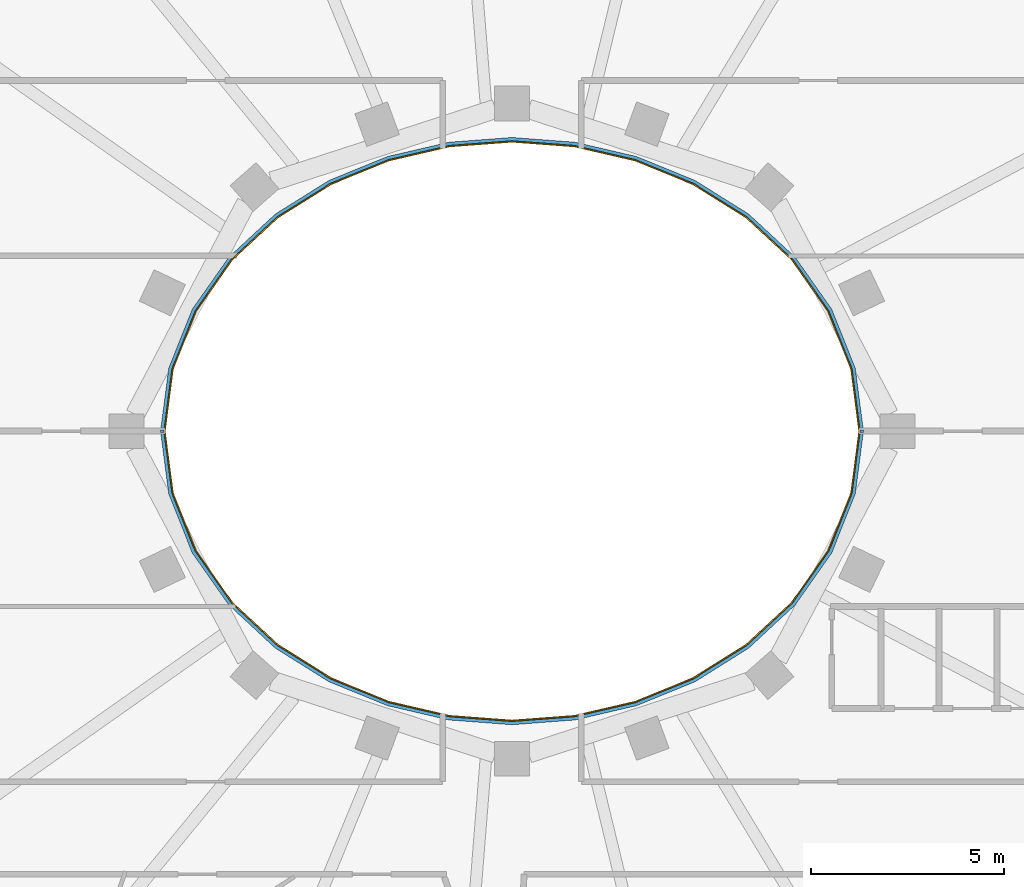
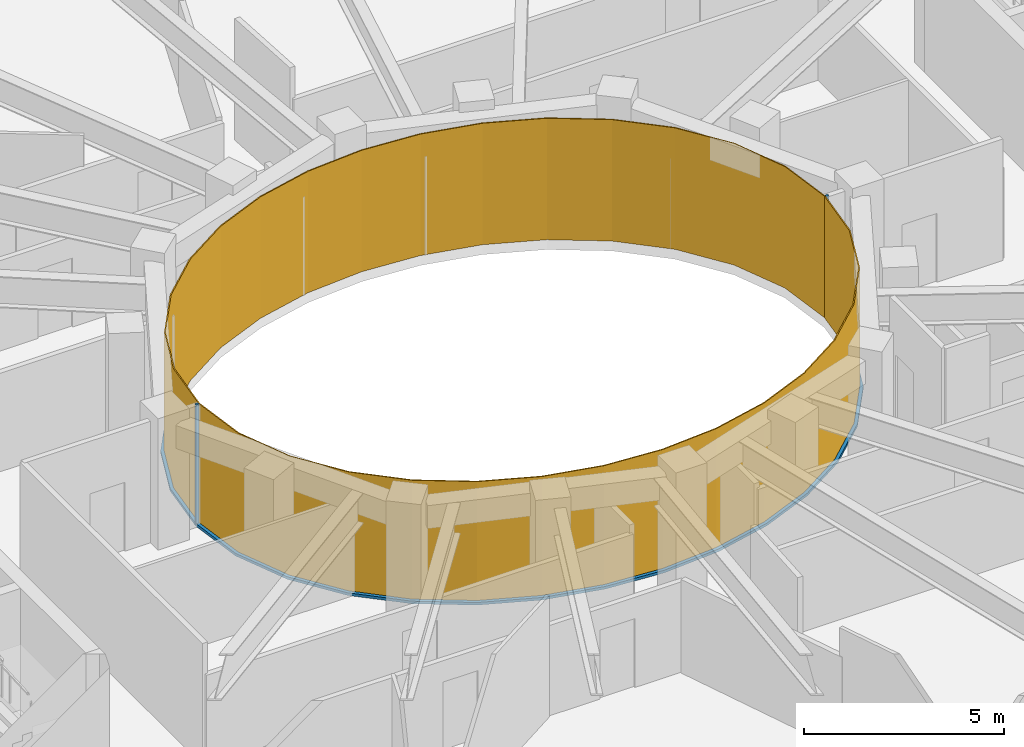
# One storey, part 10 of 15: 4 members, 2 curtain walls.
"""IFC4 building model written with IfcOpenShell, lengths in metres."""

from ifc_helpers import new_model, si_unit, direction, frame, origin, origin_2d, place, context, subcontext, project, spatial, polyline, rectangle, outline, extrude, material, layer, layer_set, material_profile, profile_set, type_object, element, aggregate, save


model = new_model("IFC4")

# Units and contexts
model_context = context("Model", 3, precision=1e-05, world=origin(), true_north=direction((0.0, 1.0)))
body_context = subcontext(model_context, "Body", "Model", "MODEL_VIEW")
ifc_project = project(units=[si_unit("LENGTHUNIT", "METRE"), si_unit("AREAUNIT", "SQUARE_METRE"), si_unit("VOLUMEUNIT", "CUBIC_METRE"), si_unit("PLANEANGLEUNIT", "RADIAN"), si_unit("MASSUNIT", "GRAM", prefix="KILO")], contexts=[model_context])

# Member
ifc_material_1 = material(Name="Steel S355 fire-resisting frame", Category="steel")
ifc_material_profile = material_profile(ifc_material_1, rectangle(XDim=0.090087890625, YDim=0.06005859375, at=origin_2d()), Name="90x60")
ifc_profile_set = profile_set([ifc_material_profile], Name="Steel S355 fire-resisting frame")
member_type_1 = type_object("IfcMemberType", Name="ENV-MULLION-W-90", PredefinedType="MULLION", material=ifc_profile_set)
site_placement = place(None, origin())
building_placement = place(site_placement, origin())
storey_placement = place(building_placement, frame((0.0, 0.0, 307.0)))
member_1_placement = place(storey_placement, frame((9.076904296875, 0.0, 0.0), z_axis=(0.0, 0.0, 1.0), x_axis=(1.0, 0.0, 0.0)))
member_1 = element("IfcMember", 1, at=member_1_placement, type_object=member_type_1, Name="Mullion W well vertex 01", PredefinedType="MULLION", context=body_context, shape_type="SweptSolid", body=[
    extrude(rectangle(XDim=0.090087890625, YDim=0.06005859375, at=origin_2d()), origin(), (0.0, 0.0, 1.0), 3.699951171875),
])

member_2_placement = place(storey_placement, frame((-9.076904296875, 0.0, 0.0), z_axis=(0.0, 0.0, 1.0), x_axis=(-1.0, 0.0, 0.0)))
member_2 = element("IfcMember", 2, at=member_2_placement, type_object=member_type_1, Name="Mullion W well vertex 17", PredefinedType="MULLION", context=body_context, shape_type="SweptSolid", body=[
    extrude(rectangle(XDim=0.090087890625, YDim=0.06005859375, at=origin_2d()), origin(), (0.0, 0.0, 1.0), 3.699951171875),
])

ifc_material_2 = material(Name="Steel S355 fire-resisting frame", Category="steel")
member_type_2 = type_object("IfcMemberType", Name="ENV-TRANSOM-W", PredefinedType="USERDEFINED", material=ifc_material_2)
member_3_placement = place(storey_placement, origin())
member_3 = element("IfcMember", 3, at=member_3_placement, type_object=member_type_2, Name="Transom W well 01-17", ObjectType="TRANSOM", PredefinedType="USERDEFINED", context=body_context, shape_type="SweptSolid", body=[
    extrude(outline(polyline([(9.119384765625, 0.02783203125), (8.910400390625, 1.63623046875), (8.29833984375, 3.167236328125), (7.35107421875, 4.5146484375), (6.1455078125, 5.6337890625), (4.75341796875, 6.50634765625), (3.233642578125, 7.127685546875), (1.635498046875, 7.498779296875), (0.0, 7.622314453125), (-1.635498046875, 7.498779296875), (-3.233642578125, 7.127685546875), (-4.75341796875, 6.50634765625), (-6.1455078125, 5.6337890625), (-7.35107421875, 4.5146484375), (-8.29833984375, 3.167236328125), (-8.910400390625, 1.63623046875), (-9.119384765625, 0.02783203125), (-9.02880859375, 0.02783203125), (-8.822509765625, 1.61328125), (-8.21875, 3.124267578125), (-7.282958984375, 4.455078125), (-6.090576171875, 5.56201171875), (-4.712158203125, 6.426025390625), (-3.206298828125, 7.04150390625), (-1.621826171875, 7.40966796875), (0.0, 7.531982421875), (1.621826171875, 7.40966796875), (3.206298828125, 7.04150390625), (4.712158203125, 6.426025390625), (6.090576171875, 5.56201171875), (7.282958984375, 4.455078125), (8.21875, 3.124267578125), (8.822509765625, 1.61328125), (9.02880859375, 0.02783203125), (9.119384765625, 0.02783203125)])), origin(), (0.0, 0.0, 1.0), 0.080078125),
])

member_4_placement = place(storey_placement, origin())
member_4 = element("IfcMember", 4, at=member_4_placement, type_object=member_type_2, Name="Transom W well 17-01", ObjectType="TRANSOM", PredefinedType="USERDEFINED", context=body_context, shape_type="SweptSolid", body=[
    extrude(outline(polyline([(-9.119384765625, -0.02783203125), (-8.910400390625, -1.63623046875), (-8.29833984375, -3.167236328125), (-7.35107421875, -4.5146484375), (-6.1455078125, -5.6337890625), (-4.75341796875, -6.50634765625), (-3.233642578125, -7.127685546875), (-1.635498046875, -7.498779296875), (0.0, -7.622314453125), (1.635498046875, -7.498779296875), (3.233642578125, -7.127685546875), (4.75341796875, -6.50634765625), (6.1455078125, -5.6337890625), (7.35107421875, -4.5146484375), (8.29833984375, -3.167236328125), (8.910400390625, -1.63623046875), (9.119384765625, -0.02783203125), (9.02880859375, -0.02783203125), (8.822509765625, -1.61328125), (8.21875, -3.124267578125), (7.282958984375, -4.455078125), (6.090576171875, -5.56201171875), (4.712158203125, -6.426025390625), (3.206298828125, -7.04150390625), (1.621826171875, -7.40966796875), (0.0, -7.531982421875), (-1.621826171875, -7.40966796875), (-3.206298828125, -7.04150390625), (-4.712158203125, -6.426025390625), (-6.090576171875, -5.56201171875), (-7.282958984375, -4.455078125), (-8.21875, -3.124267578125), (-8.822509765625, -1.61328125), (-9.02880859375, -0.02783203125), (-9.119384765625, -0.02783203125)])), origin(), (0.0, 0.0, 1.0), 0.080078125),
])

# Site, building, storey
site = spatial("IfcSite", under=ifc_project, at=site_placement, CompositionType="ELEMENT")
building = spatial("IfcBuilding", under=site, at=building_placement, Name="Noorbagh Ring Tower", CompositionType="ELEMENT")
storey = spatial("IfcBuildingStorey", under=building, at=storey_placement, Name="L66", CompositionType="ELEMENT", Elevation=307.0)

# Curtain wall
ifc_material_3 = material(Name="Glass fire-resisting E60 laminated", Category="glass")
ifc_layer = layer(ifc_material_3, 0.031982421875)
ifc_layer_set = layer_set([ifc_layer], Name="Glass fire-resisting E60 laminated")
curtain_wall_type = type_object("IfcCurtainWallType", Name="ENV-CW-W", PredefinedType="NOTDEFINED", material=ifc_layer_set)
curtain_wall_1_placement = place(storey_placement, origin())
curtain_wall_1 = element("IfcCurtainWall", 5, at=curtain_wall_1_placement, inside=storey, type_object=curtain_wall_type, Name="Curtain wall W W01", PredefinedType="NOTDEFINED", context=body_context, shape_type="SweptSolid", body=[
    extrude(outline(polyline([(9.0322265625, 0.0), (8.822509765625, 1.61328125), (8.21875, 3.124267578125), (7.282958984375, 4.455078125), (6.090576171875, 5.56201171875), (4.712158203125, 6.426025390625), (3.206298828125, 7.04150390625), (1.621826171875, 7.40966796875), (0.0, 7.531982421875), (-1.621826171875, 7.40966796875), (-3.206298828125, 7.04150390625), (-4.712158203125, 6.426025390625), (-6.090576171875, 5.56201171875), (-7.282958984375, 4.455078125), (-8.21875, 3.124267578125), (-8.822509765625, 1.61328125), (-9.0322265625, 0.0), (-9.0, 0.0), (-8.79150390625, 1.605224609375), (-8.1904296875, 3.10888671875), (-7.2587890625, 4.43408203125), (-6.071044921875, 5.53662109375), (-4.697509765625, 6.3974609375), (-3.196533203125, 7.010986328125), (-1.6171875, 7.3779296875), (0.0, 7.5), (1.6171875, 7.3779296875), (3.196533203125, 7.010986328125), (4.697509765625, 6.3974609375), (6.071044921875, 5.53662109375), (7.2587890625, 4.43408203125), (8.1904296875, 3.10888671875), (8.79150390625, 1.605224609375), (9.0, 0.0), (9.0322265625, 0.0)])), origin(), (0.0, 0.0, 1.0), 3.699951171875),
])

aggregate(curtain_wall_1, [member_1, member_2, member_3])

curtain_wall_2_placement = place(storey_placement, origin())
curtain_wall_2 = element("IfcCurtainWall", 6, at=curtain_wall_2_placement, inside=storey, type_object=curtain_wall_type, Name="Curtain wall W W17", PredefinedType="NOTDEFINED", context=body_context, shape_type="SweptSolid", body=[
    extrude(outline(polyline([(-9.0322265625, 0.0), (-8.822509765625, -1.61328125), (-8.21875, -3.124267578125), (-7.282958984375, -4.455078125), (-6.090576171875, -5.56201171875), (-4.712158203125, -6.426025390625), (-3.206298828125, -7.04150390625), (-1.621826171875, -7.40966796875), (0.0, -7.531982421875), (1.621826171875, -7.40966796875), (3.206298828125, -7.04150390625), (4.712158203125, -6.426025390625), (6.090576171875, -5.56201171875), (7.282958984375, -4.455078125), (8.21875, -3.124267578125), (8.822509765625, -1.61328125), (9.0322265625, 0.0), (9.0, 0.0), (8.79150390625, -1.605224609375), (8.1904296875, -3.10888671875), (7.2587890625, -4.43408203125), (6.071044921875, -5.53662109375), (4.697509765625, -6.3974609375), (3.196533203125, -7.010986328125), (1.6171875, -7.3779296875), (0.0, -7.5), (-1.6171875, -7.3779296875), (-3.196533203125, -7.010986328125), (-4.697509765625, -6.3974609375), (-6.071044921875, -5.53662109375), (-7.2587890625, -4.43408203125), (-8.1904296875, -3.10888671875), (-8.79150390625, -1.605224609375), (-9.0, 0.0), (-9.0322265625, 0.0)])), origin(), (0.0, 0.0, 1.0), 3.699951171875),
])

aggregate(curtain_wall_2, [member_4])

save(model, "model.ifc")
